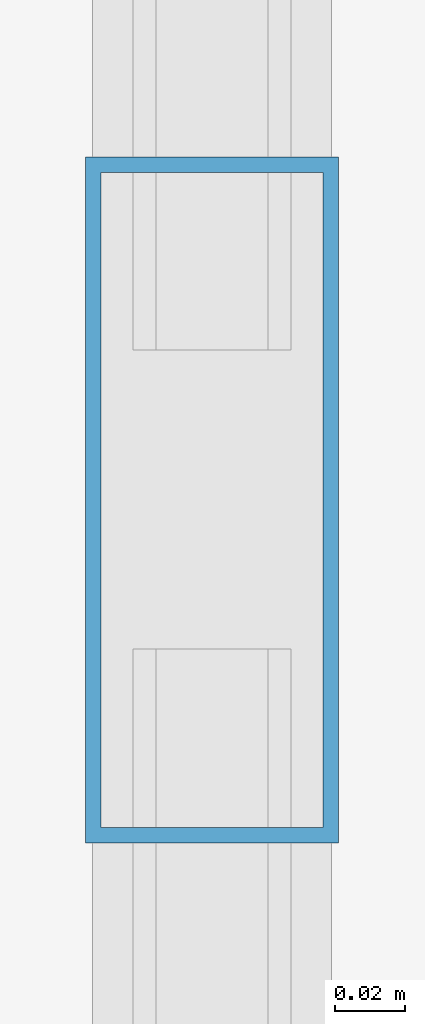
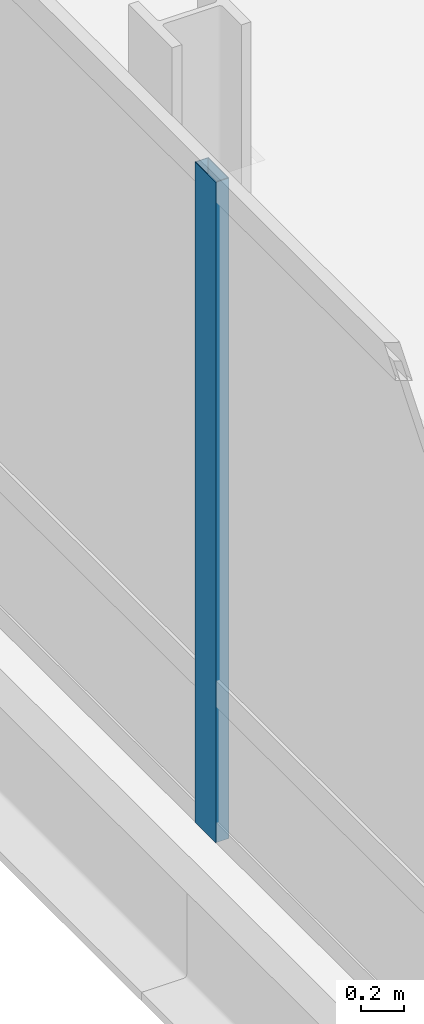
# One storey, part 8 of 46: 1 member, 1 element without a shape of its own.
"""IFC4 building model written with IfcOpenShell, lengths in metres."""

import ifcopenshell
import ifcopenshell.guid

model = None  # the IFC model being written
_history = None  # IfcOwnerHistory: only IFC2X3 demands one
_inside = {}  # id of a spatial element -> (the spatial element, [elements in it])
_under = {}  # id of a project, library or spatial element -> (it, [spatial elements below it])
_declared = {}  # id of a project -> (the project, [libraries it declares])
_typed = {}  # id of a type object -> (the type object, [elements of that type])
_made_of = {}  # id of a material, layer set ... -> (it, [elements and type objects made of it])


def new_model(schema):
    """Start an empty IFC model of exactly this schema.

    Asked for "IFC4X3", IfcOpenShell would pick the latest addendum, in which some entities
    have other attributes; the version numbers below select the first issue.
    IFC2X3 requires an IfcOwnerHistory on every rooted entity: one is made here for all.
    """
    global model, _history
    if schema == "IFC4X3":
        model = ifcopenshell.file(schema_version=(4, 3, 0, 0))
    else:
        model = ifcopenshell.file(schema=schema)
    _inside.clear()
    _under.clear()
    _declared.clear()
    _typed.clear()
    _made_of.clear()
    _history = None
    if model.schema == "IFC2X3":
        org = make("IfcOrganization", Name="unknown")
        user = make(
            "IfcPersonAndOrganization",
            ThePerson=make("IfcPerson", FamilyName="unknown"),
            TheOrganization=org,
        )
        app = make(
            "IfcApplication",
            ApplicationDeveloper=org,
            Version="unknown",
            ApplicationFullName="unknown",
            ApplicationIdentifier="unknown",
        )
        _history = make(
            "IfcOwnerHistory",
            OwningUser=user,
            OwningApplication=app,
            ChangeAction="ADDED",
            CreationDate=0,
        )
    return model


def make(cls, **values):
    """One entity of the class cls with the attributes given. An attribute that is None is left unset."""
    return model.create_entity(
        cls, **{name: value for name, value in values.items() if value is not None}
    )


def rooted(cls, **values):
    """An entity with a GlobalId (a new one), such as an element, a storey or a relation."""
    return make(cls, GlobalId=ifcopenshell.guid.new(), OwnerHistory=_history, **values)


def si_unit(unit_type, name, prefix=None):
    """IfcSIUnit, for example si_unit("LENGTHUNIT", "METRE", prefix="MILLI")."""
    return make("IfcSIUnit", UnitType=unit_type, Prefix=prefix, Name=name)


def assignment(units):
    """IfcUnitAssignment: the units of a project."""
    return None if units is None else make("IfcUnitAssignment", Units=units)


def point(xyz):
    """IfcCartesianPoint."""
    return None if xyz is None else make("IfcCartesianPoint", Coordinates=xyz)


def direction(xyz):
    """IfcDirection."""
    return None if xyz is None else make("IfcDirection", DirectionRatios=xyz)


def frame(location, z_axis=None, x_axis=None):
    """IfcAxis2Placement3D, a coordinate frame: its origin and axes. An axis left out is left unset."""
    return make(
        "IfcAxis2Placement3D",
        Location=point(location),
        Axis=direction(z_axis),
        RefDirection=direction(x_axis),
    )


def frame_2d(location, x_axis=None):
    """IfcAxis2Placement2D, a coordinate frame in the plane: its origin and x axis."""
    return make(
        "IfcAxis2Placement2D", Location=point(location), RefDirection=direction(x_axis)
    )


def origin():
    """The frame at (0, 0, 0) with its axes left unset."""
    return frame((0.0, 0.0, 0.0))


def origin_2d():
    """The frame at (0, 0) in the plane with its x axis left unset."""
    return frame_2d((0.0, 0.0))


def place(relative_to, where):
    """IfcLocalPlacement: puts the frame where relative to a parent placement (None: the world)."""
    return make(
        "IfcLocalPlacement", PlacementRelTo=relative_to, RelativePlacement=where
    )


def context(
    kind, dimensions, precision=None, world=None, true_north=None, identifier=None
):
    """IfcGeometricRepresentationContext, for example the 3D "Model" context."""
    return make(
        "IfcGeometricRepresentationContext",
        ContextIdentifier=identifier,
        ContextType=kind,
        CoordinateSpaceDimension=dimensions,
        Precision=precision,
        WorldCoordinateSystem=world,
        TrueNorth=true_north,
    )


def subcontext(parent, identifier, kind, view, scale=None):
    """IfcGeometricRepresentationSubContext, for example "Body" below "Model"."""
    return make(
        "IfcGeometricRepresentationSubContext",
        ContextIdentifier=identifier,
        ContextType=kind,
        ParentContext=parent,
        TargetScale=scale,
        TargetView=view,
    )


def project(units=None, contexts=None):
    """IfcProject with its units and contexts."""
    return rooted(
        "IfcProject",
        Name="project",
        RepresentationContexts=contexts,
        UnitsInContext=assignment(units),
    )


def spatial(cls, under=None, at=None, **own):
    """A site, building, storey or space (cls), placed at a placement, below another one or the project."""
    s = rooted(cls, ObjectPlacement=at, **own)
    if under is not None:
        _under.setdefault(under.id(), (under, []))[1].append(s)
    return s


def profile(cls, at=None, kind="AREA", **sizes):
    """A parametric profile (cls). Its sizes go by their IFC names, for example OverallWidth=200.0."""
    return make(cls, ProfileType=kind, Position=at, **sizes)


def hollow_rectangle(**sizes):
    """IfcRectangleHollowProfileDef."""
    return profile("IfcRectangleHollowProfileDef", **sizes)


def extrude(swept, where, along, depth):
    """IfcExtrudedAreaSolid: the profile swept, set in the frame where, extruded along a direction by depth."""
    return make(
        "IfcExtrudedAreaSolid",
        SweptArea=swept,
        Position=where,
        ExtrudedDirection=direction(along),
        Depth=depth,
    )


def shape(context_of_items, identifier, shape_type, items):
    """IfcShapeRepresentation: the items that make up one representation, for example the "Body"."""
    return make(
        "IfcShapeRepresentation",
        ContextOfItems=context_of_items,
        RepresentationIdentifier=identifier,
        RepresentationType=shape_type,
        Items=items,
    )


def material(Name=None, Category=None):
    """IfcMaterial."""
    return make("IfcMaterial", Name=Name, Category=Category)


def material_profile(
    of_material, cross_section, Name=None, Category=None, Priority=None
):
    """IfcMaterialProfile: a cross section and its material."""
    return make(
        "IfcMaterialProfile",
        Name=Name,
        Material=of_material,
        Profile=cross_section,
        Priority=Priority,
        Category=Category,
    )


def profile_set(profiles, Name=None, composite=None):
    """IfcMaterialProfileSet."""
    return make(
        "IfcMaterialProfileSet",
        Name=Name,
        MaterialProfiles=profiles,
        CompositeProfile=composite,
    )


def made_of(thing, what):
    """Note that an element or type object is made of a material, layer set ...; save() writes the relation."""
    if what is not None:
        _made_of.setdefault(what.id(), (what, []))[1].append(thing)
    return thing


def type_object(cls, material=None, **own):
    """A type object (cls), such as IfcWallType, which elements share."""
    return made_of(rooted(cls, **own), material)


def element(
    cls,
    number,
    at=None,
    inside=None,
    cuts=None,
    type_object=None,
    material=None,
    context=None,
    identifier="Body",
    shape_type=None,
    held_by="IfcProductDefinitionShape",
    body=None,
    shapes=None,
    **own,
):
    """One element of the class cls, such as IfcWall. Its Tag is "e" and its number.

    at: its placement. inside: the storey or other place that contains it. cuts: it is an
    opening in that element (IfcRelVoidsElement). A single representation is given by context,
    identifier, shape_type and body (its items); several are given by shapes. held_by: the class
    of the entity that holds the representations. save() writes the other relations.
    """
    e = rooted(cls, Tag="e%d" % number, ObjectPlacement=at, **own)
    if body is not None:
        shapes = [shape(context, identifier, shape_type, body)]
    if shapes is not None:
        e.Representation = make(held_by, Representations=shapes)
    if inside is not None:
        _inside.setdefault(inside.id(), (inside, []))[1].append(e)
    if cuts is not None:
        rooted(
            "IfcRelVoidsElement", RelatingBuildingElement=cuts, RelatedOpeningElement=e
        )
    if type_object is not None:
        _typed.setdefault(type_object.id(), (type_object, []))[1].append(e)
    return made_of(e, material)


def aggregate(whole, parts):
    """IfcRelAggregates: a whole, such as a stair, and the parts it consists of."""
    return rooted("IfcRelAggregates", RelatingObject=whole, RelatedObjects=parts)


def save(model, path):
    """Write the relations noted so far, then the file.

    IfcRelAggregates (storeys below a building ...), IfcRelContainedInSpatialStructure (elements
    in a storey), IfcRelDefinesByType, IfcRelAssociatesMaterial and IfcRelDeclares: one each for
    every whole, place, type object, material and project.
    """
    for whole, parts in _under.values():
        aggregate(whole, parts)
    for where, things in _inside.values():
        rooted(
            "IfcRelContainedInSpatialStructure",
            RelatedElements=things,
            RelatingStructure=where,
        )
    for kind, things in _typed.values():
        rooted("IfcRelDefinesByType", RelatedObjects=things, RelatingType=kind)
    for what, things in _made_of.values():
        rooted("IfcRelAssociatesMaterial", RelatedObjects=things, RelatingMaterial=what)
    for by, libraries in _declared.values():
        rooted("IfcRelDeclares", RelatingContext=by, RelatedDefinitions=libraries)
    model.write(path)


model = new_model("IFC4")

# Units and contexts
model_context = context("Model", 3, precision=1e-05, world=origin(), true_north=direction((0.0, 1.0)))
body_context = subcontext(model_context, "Body", "Model", "MODEL_VIEW")
ifc_project = project(units=[si_unit("LENGTHUNIT", "METRE"), si_unit("AREAUNIT", "SQUARE_METRE"), si_unit("VOLUMEUNIT", "CUBIC_METRE"), si_unit("PLANEANGLEUNIT", "RADIAN"), si_unit("MASSUNIT", "GRAM", prefix="KILO")], contexts=[model_context])

# Site, building, storey
site_placement = place(None, origin())
site = spatial("IfcSite", under=ifc_project, at=site_placement, CompositionType="ELEMENT")
building_placement = place(site_placement, origin())
building = spatial("IfcBuilding", under=site, at=building_placement, Name="Punatoya Terracotta Tower", CompositionType="ELEMENT")
storey_placement = place(building_placement, frame((0.0, 0.0, 200.550048828125)))
storey = spatial("IfcBuildingStorey", under=building, at=storey_placement, Name="L47", CompositionType="ELEMENT", Elevation=200.550048828125)

# Curtain wall, member
ifc_material_1 = material(Name="Aluminium 6063-T6 + Double Low-E Glass", Category="aluminium")
curtain_wall_type = type_object("IfcCurtainWallType", Name="CW-M2", PredefinedType="NOTDEFINED", material=ifc_material_1)
curtain_wall_placement = place(storey_placement, origin())
curtain_wall = element("IfcCurtainWall", 1, at=curtain_wall_placement, inside=storey, type_object=curtain_wall_type, Name="L47 Curtain Wall CW-L47-W13-1", PredefinedType="NOTDEFINED")
ifc_material_2 = material(Name="Aluminium 6063-T6", Category="aluminium")
ifc_material_profile = material_profile(ifc_material_2, hollow_rectangle(XDim=0.072021484375, YDim=0.195068359375, WallThickness=0.00439453125, at=origin_2d()))
ifc_profile_set = profile_set([ifc_material_profile], Name="Aluminium 6063-T6")
member_type = type_object("IfcMemberType", Name="CW-MUL-M2", PredefinedType="MULLION", material=ifc_profile_set)
member_placement = place(storey_placement, frame((-24.85009765625, -4.21435546875, 0.0), z_axis=(0.0, 0.0, 1.0), x_axis=(1.0, 0.0, 0.0)))
member = element("IfcMember", 2, at=member_placement, type_object=member_type, Name="CW-L47-W13-1 Mullion 04", PredefinedType="MULLION", context=body_context, shape_type="SweptSolid", body=[
    extrude(hollow_rectangle(XDim=0.072021484375, YDim=0.195068359375, WallThickness=0.00439453125, at=origin_2d()), origin(), (0.0, 0.0, 1.0), 3.77001953125),
])
aggregate(curtain_wall, [member])

save(model, "model.ifc")
